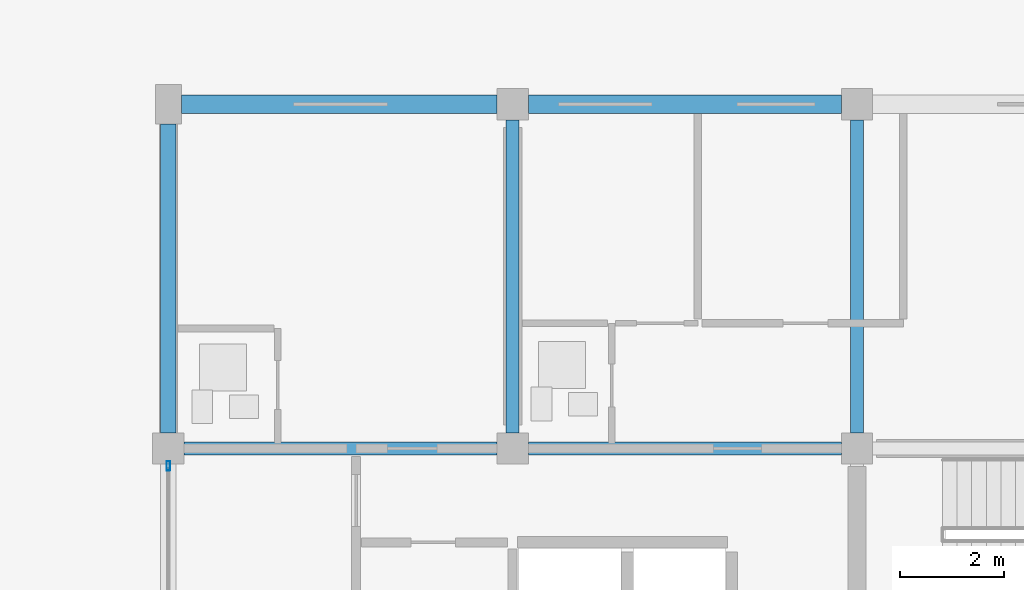
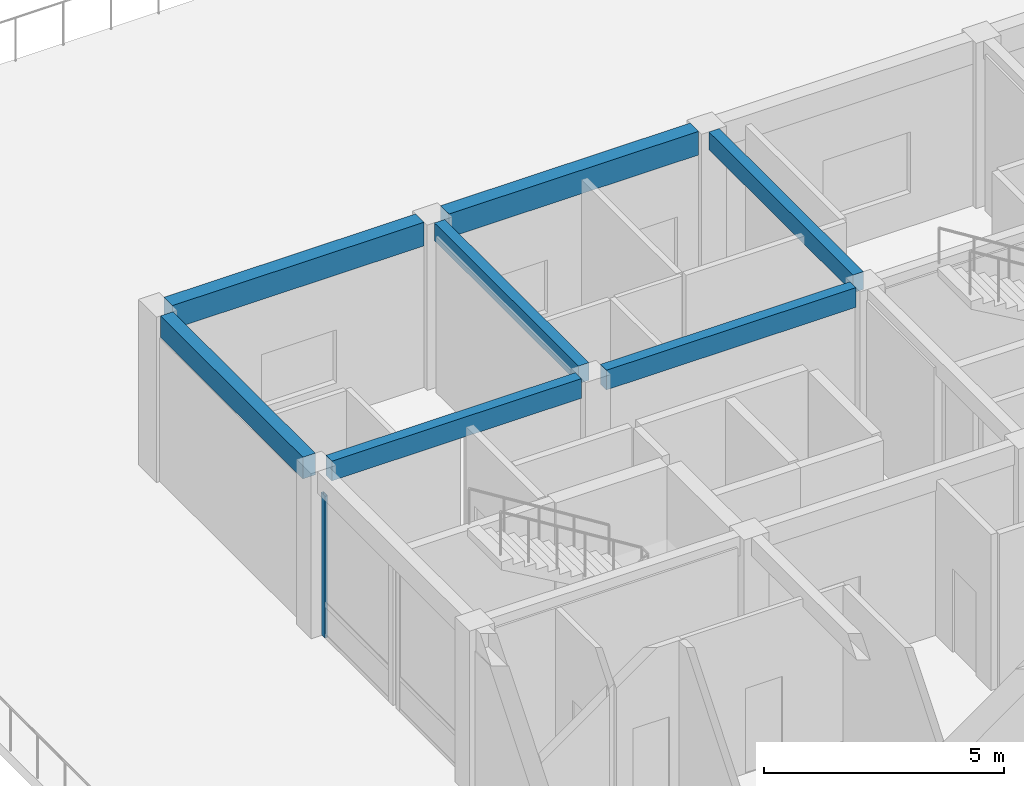
# One storey, part 35 of 92: 7 beams, 1 member, 1 element without a shape of its own.
"""IFC4 building model written with IfcOpenShell, lengths in metres."""

from ifc_helpers import new_model, si_unit, direction, frame, origin, origin_2d, place, context, subcontext, project, spatial, rectangle, hollow_rectangle, extrude, material, material_profile, profile_set, type_object, element, aggregate, save


model = new_model("IFC4")

# Units and contexts
model_context = context("Model", 3, precision=1e-05, world=origin(), true_north=direction((0.0, 1.0)))
body_context = subcontext(model_context, "Body", "Model", "MODEL_VIEW")
ifc_project = project(units=[si_unit("LENGTHUNIT", "METRE"), si_unit("AREAUNIT", "SQUARE_METRE"), si_unit("VOLUMEUNIT", "CUBIC_METRE"), si_unit("PLANEANGLEUNIT", "RADIAN"), si_unit("MASSUNIT", "GRAM", prefix="KILO")], contexts=[model_context])

# Site, building, storey
site_placement = place(None, origin())
site = spatial("IfcSite", under=ifc_project, at=site_placement, CompositionType="ELEMENT")
building_placement = place(site_placement, origin())
building = spatial("IfcBuilding", under=site, at=building_placement, Name="Kernevlak Ridge Housing Community", CompositionType="ELEMENT")
storey_placement = place(building_placement, frame((0.0, 0.0, 4.199951171875)))
storey = spatial("IfcBuildingStorey", under=building, at=storey_placement, Name="L01", CompositionType="ELEMENT", Elevation=4.199951171875)

# Beams
ifc_material_1 = material(Name="Concrete C35/45", Category="concrete")
ifc_material_profile_1 = material_profile(ifc_material_1, rectangle(XDim=0.25, YDim=0.449951171875, at=origin_2d()), Name="RC 250x450")
ifc_profile_set_1 = profile_set([ifc_material_profile_1], Name="Concrete C35/45")
beam_type_1 = type_object("IfcBeamType", Name="B-04", PredefinedType="T_BEAM", material=ifc_profile_set_1)
for number, where, z_axis, x_axis, name in (
    (1, (22.199951171875, 89.5, 3.97509765625), (0.0, 1.0, 0.0), (-1.0, 0.0, 0.0), "Beam B-04 L01 97"),
    (2, (28.800048828125, 89.5, 3.97509765625), (0.0, 1.0, 0.0), (-1.0, 0.0, 0.0), "Beam B-04 L01 100"),
):
    element("IfcBeam", number, at=place(storey_placement, frame(where, z_axis=z_axis, x_axis=x_axis)), inside=storey, type_object=beam_type_1, Name=name, PredefinedType="T_BEAM", context=body_context, shape_type="SweptSolid", body=[
        extrude(rectangle(XDim=0.25, YDim=0.449951171875, at=origin_2d()), origin(), (0.0, 0.0, 1.0), 6.0),
    ])
ifc_material_profile_2 = material_profile(ifc_material_1, rectangle(XDim=0.25, YDim=0.5, at=origin_2d()), Name="RC 250x500")
ifc_profile_set_2 = profile_set([ifc_material_profile_2], Name="Concrete C35/45")
beam_type_2 = type_object("IfcBeamType", Name="B-06", PredefinedType="T_BEAM", material=ifc_profile_set_2)
for number, where, z_axis, x_axis, name in (
    (3, (15.89990234375, 89.199951171875, 3.949951171875), (1.0, 0.0, 0.0), (0.0, 1.0, 0.0), "Beam B-06 L01 83"),
    (4, (22.5, 89.199951171875, 3.949951171875), (1.0, 0.0, 0.0), (0.0, 1.0, 0.0), "Beam B-06 L01 84"),
):
    element("IfcBeam", number, at=place(storey_placement, frame(where, z_axis=z_axis, x_axis=x_axis)), inside=storey, type_object=beam_type_2, Name=name, PredefinedType="T_BEAM", context=body_context, shape_type="SweptSolid", body=[
        extrude(rectangle(XDim=0.25, YDim=0.5, at=origin_2d()), origin(), (0.0, 0.0, 1.0), 6.0),
    ])

# Curtain wall, member
ifc_material_2 = material(Name="Aluminium EN AW-6060 anodised and laminated glass", Category="aluminium")
curtain_wall_type = type_object("IfcCurtainWallType", Name="CW-08", PredefinedType="NOTDEFINED", material=ifc_material_2)
curtain_wall_placement = place(storey_placement, origin())
curtain_wall = element("IfcCurtainWall", 5, at=curtain_wall_placement, inside=storey, type_object=curtain_wall_type, Name="Curtain wall CW-08 CW-L01-005", PredefinedType="NOTDEFINED")
ifc_material_3 = material(Name="Aluminium EN AW-6060 anodised", Category="aluminium")
ifc_material_profile_3 = material_profile(ifc_material_3, hollow_rectangle(XDim=0.06494140625, YDim=0.179931640625, WallThickness=0.00439453125, InnerFilletRadius=0.001953125, OuterFilletRadius=0.00439453125, at=origin_2d()), Name="ALU 65x180x4.5")
ifc_profile_set_3 = profile_set([ifc_material_profile_3], Name="Aluminium EN AW-6060 anodised")
member_type = type_object("IfcMemberType", Name="MU-03", PredefinedType="MULLION", material=ifc_profile_set_3)
member_placement = place(storey_placement, frame((15.60009765625, 88.867431640625, 0.0), z_axis=(0.0, 0.0, 1.0), x_axis=(-1.0, 0.0, 0.0)))
member = element("IfcMember", 6, at=member_placement, type_object=member_type, Name="CW-08 mullion 2", PredefinedType="MULLION", context=body_context, shape_type="SweptSolid", body=[
    extrude(hollow_rectangle(XDim=0.06494140625, YDim=0.179931640625, WallThickness=0.00439453125, InnerFilletRadius=0.001953125, OuterFilletRadius=0.00439453125, at=origin_2d()), origin(), (0.0, 0.0, 1.0), 3.60009765625),
])
aggregate(curtain_wall, [member])

# Beams
ifc_material_profile_4 = material_profile(ifc_material_1, rectangle(XDim=0.300048828125, YDim=0.550048828125, at=origin_2d()), Name="RC 300x550")
ifc_profile_set_4 = profile_set([ifc_material_profile_4], Name="Concrete C35/45")
beam_type_3 = type_object("IfcBeamType", Name="SP-01", PredefinedType="SPANDREL", material=ifc_profile_set_4)
beam_1_placement = place(storey_placement, frame((15.60009765625, 89.5, 3.925048828125), z_axis=(0.0, 1.0, 0.0), x_axis=(-1.0, 0.0, 0.0)))
element("IfcBeam", 7, at=beam_1_placement, inside=storey, type_object=beam_type_3, Name="Beam SP-01 L01 95", PredefinedType="SPANDREL", context=body_context, shape_type="SweptSolid", body=[
    extrude(rectangle(XDim=0.300048828125, YDim=0.550048828125, at=origin_2d()), origin(), (0.0, 0.0, 1.0), 5.925048828125),
])
ifc_material_profile_5 = material_profile(ifc_material_1, rectangle(XDim=0.35009765625, YDim=0.60009765625, at=origin_2d()), Name="RC 350x600")
ifc_profile_set_5 = profile_set([ifc_material_profile_5], Name="Concrete C35/45")
beam_type_4 = type_object("IfcBeamType", Name="SP-03", PredefinedType="SPANDREL", material=ifc_profile_set_5)
beam_2_placement = place(storey_placement, frame((15.85009765625, 95.800048828125, 3.900146484375), z_axis=(1.0, 0.0, 0.0), x_axis=(0.0, 1.0, 0.0)))
element("IfcBeam", 8, at=beam_2_placement, inside=storey, type_object=beam_type_4, Name="Beam SP-03 L01 88", PredefinedType="SPANDREL", context=body_context, shape_type="SweptSolid", body=[
    extrude(rectangle(XDim=0.35009765625, YDim=0.60009765625, at=origin_2d()), origin(), (0.0, 0.0, 1.0), 6.0498046875),
])
beam_3_placement = place(storey_placement, frame((22.5, 95.800048828125, 3.900146484375), z_axis=(1.0, 0.0, 0.0), x_axis=(0.0, 1.0, 0.0)))
element("IfcBeam", 9, at=beam_3_placement, inside=storey, type_object=beam_type_4, Name="Beam SP-03 L01 89", PredefinedType="SPANDREL", context=body_context, shape_type="SweptSolid", body=[
    extrude(rectangle(XDim=0.35009765625, YDim=0.60009765625, at=origin_2d()), origin(), (0.0, 0.0, 1.0), 6.0),
])

save(model, "model.ifc")
